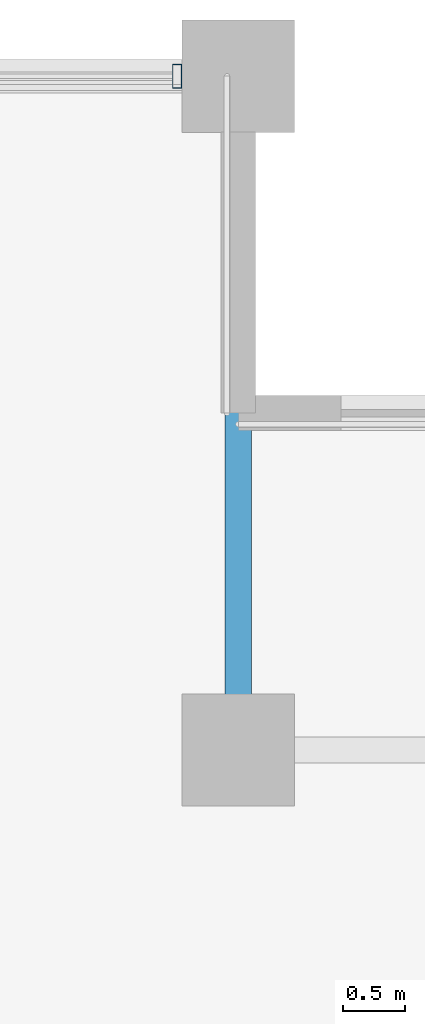
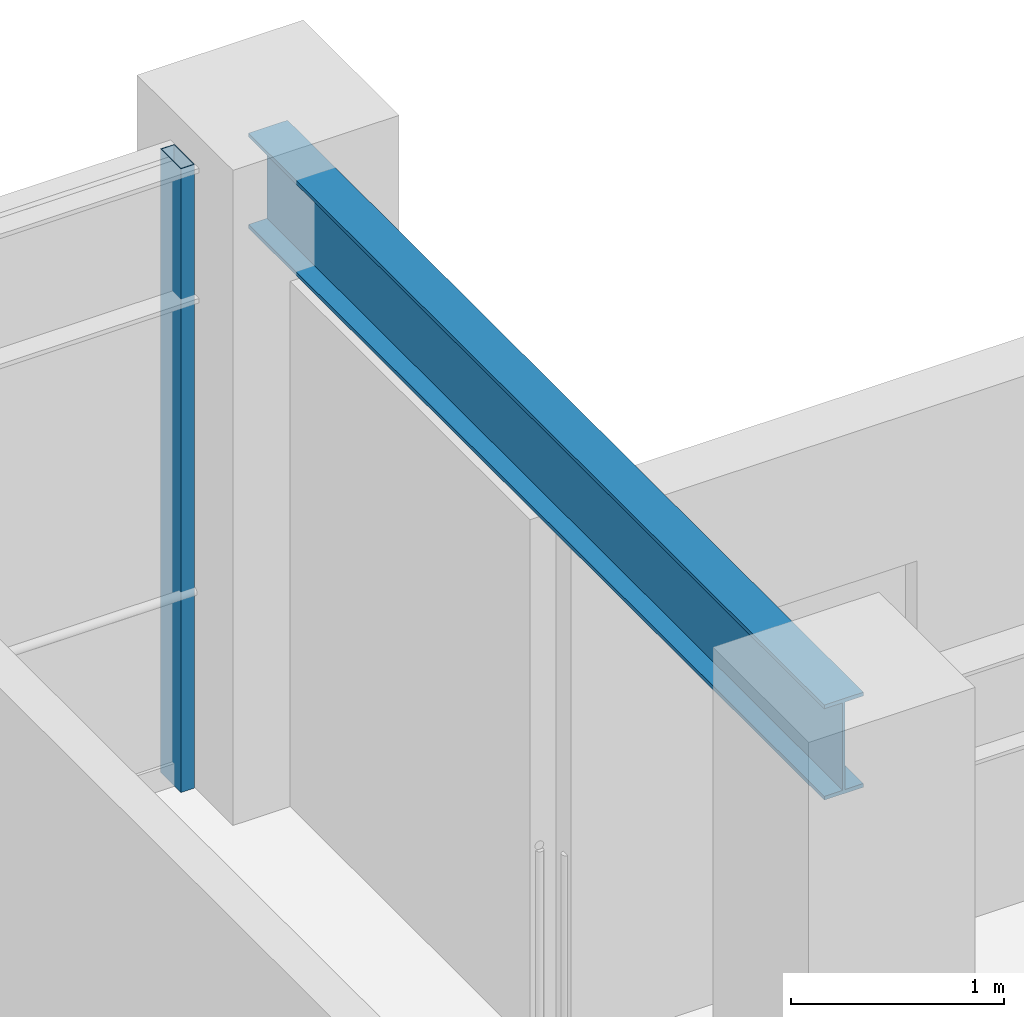
# One storey, part 23 of 36: 1 beam, 1 member, 1 element without a shape of its own.
"""IFC4 building model written with IfcOpenShell, lengths in metres."""

from ifc_helpers import new_model, si_unit, direction, frame, origin, origin_2d, place, context, subcontext, project, spatial, hollow_rectangle, i_section, extrude, material, layer, layer_set, material_profile, profile_set, type_object, element, aggregate, save


model = new_model("IFC4")

# Units and contexts
model_context = context("Model", 3, precision=1e-05, world=origin(), true_north=direction((0.0, 1.0)))
body_context = subcontext(model_context, "Body", "Model", "MODEL_VIEW")
ifc_project = project(units=[si_unit("LENGTHUNIT", "METRE"), si_unit("AREAUNIT", "SQUARE_METRE"), si_unit("VOLUMEUNIT", "CUBIC_METRE"), si_unit("PLANEANGLEUNIT", "RADIAN"), si_unit("MASSUNIT", "GRAM", prefix="KILO")], contexts=[model_context])

# Site, building, storey
site_placement = place(None, origin())
site = spatial("IfcSite", under=ifc_project, at=site_placement, CompositionType="ELEMENT")
building_placement = place(site_placement, origin())
building = spatial("IfcBuilding", under=site, at=building_placement, Name="Surkhivell Harbour Commons", CompositionType="ELEMENT")
storey_placement = place(building_placement, frame((0.0, 0.0, 171.0)))
storey = spatial("IfcBuildingStorey", under=building, at=storey_placement, Name="L44", CompositionType="ELEMENT", Elevation=171.0)

# Beam
ifc_material_1 = material(Name="Steel S355", Category="steel")
ifc_material_profile_1 = material_profile(ifc_material_1, i_section(OverallWidth=0.2119140625, OverallDepth=0.5439453125, WebThickness=0.0126953125, FlangeThickness=0.021240234375, at=origin_2d()), Name="UB533x210x122")
ifc_profile_set_1 = profile_set([ifc_material_profile_1], Name="Steel S355")
beam_type = type_object("IfcBeamType", Name="BM-GRD-533A", PredefinedType="BEAM", material=ifc_profile_set_1)
beam_placement = place(storey_placement, frame((16.199951171875, 20.5, 3.298095703125), z_axis=(0.0, 1.0, 0.0), x_axis=(-1.0, 0.0, 0.0)))
element("IfcBeam", 1, at=beam_placement, inside=storey, type_object=beam_type, Name="L44 Floor Girder (16.2,20.5)", PredefinedType="BEAM", context=body_context, shape_type="SweptSolid", body=[
    extrude(i_section(OverallWidth=0.2119140625, OverallDepth=0.5439453125, WebThickness=0.0126953125, FlangeThickness=0.021240234375, at=origin_2d()), origin(), (0.0, 0.0, 1.0), 5.39990234375),
])

# Curtain wall, member
ifc_material_2 = material(Name="Anodised pale-metal aluminium and insulated glazing", Category="aluminium")
ifc_layer = layer(ifc_material_2, 0.18994140625)
ifc_layer_set = layer_set([ifc_layer], Name="Anodised pale-metal aluminium and insulated glazing")
curtain_wall_type = type_object("IfcCurtainWallType", Name="CW-SYS-Z3", PredefinedType="NOTDEFINED", material=ifc_layer_set)
curtain_wall_placement = place(storey_placement, origin())
curtain_wall = element("IfcCurtainWall", 2, at=curtain_wall_placement, inside=storey, type_object=curtain_wall_type, Name="L44 Curtain Wall CW-L44-E07S1", PredefinedType="NOTDEFINED")
ifc_material_3 = material(Name="Anodised pale-metal aluminium alloy 6063-T6", Category="aluminium")
ifc_material_profile_2 = material_profile(ifc_material_3, hollow_rectangle(XDim=0.074951171875, YDim=0.18994140625, WallThickness=0.00390625, at=origin_2d()), Name="ALU-MULL-75x190")
ifc_profile_set_2 = profile_set([ifc_material_profile_2], Name="Anodised pale-metal aluminium alloy 6063-T6")
member_type = type_object("IfcMemberType", Name="CWM-190", PredefinedType="MULLION", material=ifc_profile_set_2)
member_placement = place(storey_placement, frame((15.71044921875, 25.89990234375, 0.0), z_axis=(0.0, 0.0, 1.0), x_axis=(-1.0, 0.0, 0.0)))
member = element("IfcMember", 3, at=member_placement, type_object=member_type, Name="CW-Z3 mullion 1", PredefinedType="MULLION", context=body_context, shape_type="SweptSolid", body=[
    extrude(hollow_rectangle(XDim=0.074951171875, YDim=0.18994140625, WallThickness=0.00390625, at=origin_2d()), origin(), (0.0, 0.0, 1.0), 3.570068359375),
])
aggregate(curtain_wall, [member])

save(model, "model.ifc")
